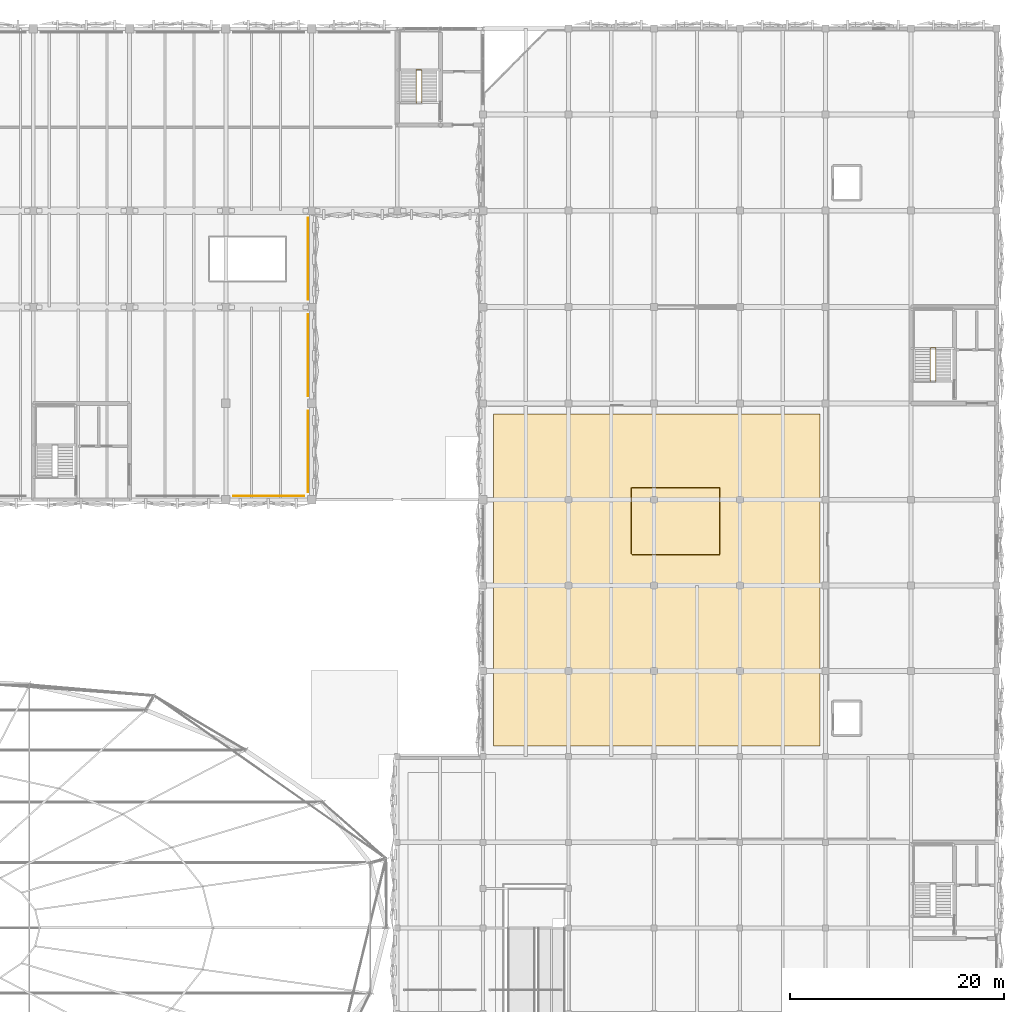
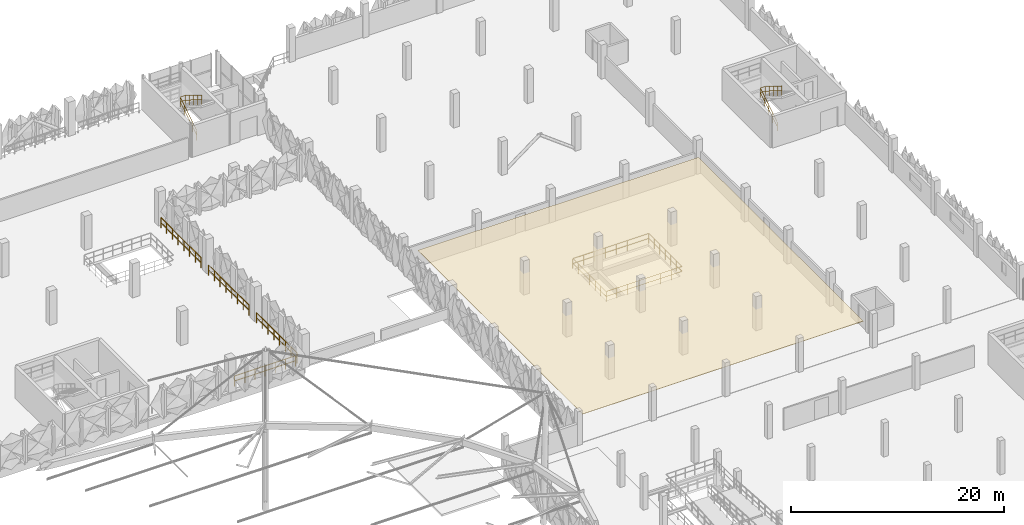
# One storey, part 93 of 96: 7 railings, 1 covering.
"""IFC4 building model written with IfcOpenShell, lengths in metres."""

from ifc_helpers import new_model, si_unit, derived_unit, direction, frame, origin, origin_2d, place, context, subcontext, project, spatial, polyline, circle, outline, extrude, material, layer, layer_set, type_object, element, save


model = new_model("IFC4")

# Units and contexts
model_context = context("Model", 3, precision=1e-05, world=origin(), true_north=direction((0.0, 1.0)))
body_context = subcontext(model_context, "Body", "Model", "MODEL_VIEW")
ifc_project = project(units=[si_unit("LENGTHUNIT", "METRE"), si_unit("AREAUNIT", "SQUARE_METRE"), si_unit("VOLUMEUNIT", "CUBIC_METRE"), si_unit("PLANEANGLEUNIT", "RADIAN"), si_unit("MASSUNIT", "GRAM", prefix="KILO"), si_unit("THERMODYNAMICTEMPERATUREUNIT", "KELVIN"), derived_unit("THERMALTRANSMITTANCEUNIT", [(si_unit("POWERUNIT", "WATT"), 1), (si_unit("AREAUNIT", "SQUARE_METRE"), -1), (si_unit("THERMODYNAMICTEMPERATUREUNIT", "KELVIN"), -1)])], contexts=[model_context])

# Site, building, storey
site_placement = place(None, origin())
site = spatial("IfcSite", under=ifc_project, at=site_placement, CompositionType="ELEMENT")
building_placement = place(site_placement, origin())
building = spatial("IfcBuilding", under=site, at=building_placement, Name="Haiyu Intermodal Mobility Hub", CompositionType="ELEMENT")
storey_placement = place(building_placement, frame((0.0, 0.0, 9.5)))
storey = spatial("IfcBuildingStorey", under=building, at=storey_placement, Name="L02", CompositionType="ELEMENT", Elevation=9.5)

# Covering
ifc_material_1 = material(Name="Champagne perforated aluminium 6063-T6", Category="aluminium")
ifc_layer = layer(ifc_material_1, 0.139892578125)
ifc_layer_set = layer_set([ifc_layer], Name="Champagne perforated aluminium 6063-T6")
covering_type = type_object("IfcCoveringType", Name="COV-CV01", PredefinedType="CLADDING", material=ifc_layer_set)
covering_placement = place(storey_placement, frame((0.0, 0.0, 2.39990234375)))
element("IfcCovering", 1, at=covering_placement, inside=storey, type_object=covering_type, Name="COV-CEIL-004", PredefinedType="CLADDING", context=body_context, shape_type="SweptSolid", body=[
    extrude(outline(polyline([(163.0, 81.0), (193.5, 81.0), (193.5, 112.0), (163.0, 112.0), (163.0, 81.0)])), origin(), (0.0, 0.0, 1.0), 0.045166015625),
])

# Railings
ifc_material_2 = material(Name="Steel Q355C", Category="steel")
railing_type_1 = type_object("IfcRailingType", Name="RAL-GR01", PredefinedType="GUARDRAIL", material=ifc_material_2)
railing_1_placement = place(storey_placement, frame((145.659912109375, 104.699951171875, 0.0)))
element("IfcRailing", 2, at=railing_1_placement, inside=storey, type_object=railing_type_1, Name="RAL-CAR-E-0096", PredefinedType="GUARDRAIL", context=body_context, shape_type="SweptSolid", body=[
    extrude(circle(Radius=0.02392578125, at=origin_2d()), frame((0.0, 0.030029296875, 1.17578125), z_axis=(0.0, 1.0, 0.0), x_axis=(-1.0, 0.0, 0.0)), (0.0, 0.0, 1.0), 7.5400390625),
    extrude(circle(Radius=0.02392578125, at=origin_2d()), frame((0.0, 0.037353515625, 0.60009765625), z_axis=(0.0, 1.0, 0.0), x_axis=(-1.0, 0.0, 0.0)), (0.0, 0.0, 1.0), 1.01123046875),
    extrude(circle(Radius=0.02392578125, at=origin_2d()), frame((0.0, 1.123046875, 0.60009765625), z_axis=(0.0, 1.0, 0.0), x_axis=(-1.0, 0.0, 0.0)), (0.0, 0.0, 1.0), 1.01123046875),
    extrude(circle(Radius=0.02392578125, at=origin_2d()), frame((0.0, 2.208740234375, 0.60009765625), z_axis=(0.0, 1.0, 0.0), x_axis=(-1.0, 0.0, 0.0)), (0.0, 0.0, 1.0), 1.01123046875),
    extrude(circle(Radius=0.02392578125, at=origin_2d()), frame((0.0, 3.29443359375, 0.60009765625), z_axis=(0.0, 1.0, 0.0), x_axis=(-1.0, 0.0, 0.0)), (0.0, 0.0, 1.0), 1.01123046875),
    extrude(circle(Radius=0.02392578125, at=origin_2d()), frame((0.0, 4.380126953125, 0.60009765625), z_axis=(0.0, 1.0, 0.0), x_axis=(-1.0, 0.0, 0.0)), (0.0, 0.0, 1.0), 1.01123046875),
    extrude(circle(Radius=0.02392578125, at=origin_2d()), frame((0.0, 5.4658203125, 0.60009765625), z_axis=(0.0, 1.0, 0.0), x_axis=(-1.0, 0.0, 0.0)), (0.0, 0.0, 1.0), 1.01123046875),
    extrude(circle(Radius=0.02392578125, at=origin_2d()), frame((0.0, 6.5517578125, 0.60009765625), z_axis=(0.0, 1.0, 0.0), x_axis=(-1.0, 0.0, 0.0)), (0.0, 0.0, 1.0), 1.01123046875),
    extrude(circle(Radius=0.02099609375, at=origin_2d()), origin(), (0.0, 0.0, 1.0), 1.143798828125),
    extrude(circle(Radius=0.02099609375, at=origin_2d()), frame((0.0, 1.085693359375, 0.0)), (0.0, 0.0, 1.0), 1.143798828125),
    extrude(circle(Radius=0.02099609375, at=origin_2d()), frame((0.0, 2.17138671875, 0.0)), (0.0, 0.0, 1.0), 1.143798828125),
    extrude(circle(Radius=0.02099609375, at=origin_2d()), frame((0.0, 3.257080078125, 0.0)), (0.0, 0.0, 1.0), 1.143798828125),
    extrude(circle(Radius=0.02099609375, at=origin_2d()), frame((0.0, 4.343017578125, 0.0)), (0.0, 0.0, 1.0), 1.143798828125),
    extrude(circle(Radius=0.02099609375, at=origin_2d()), frame((0.0, 5.4287109375, 0.0)), (0.0, 0.0, 1.0), 1.143798828125),
    extrude(circle(Radius=0.02099609375, at=origin_2d()), frame((0.0, 6.514404296875, 0.0)), (0.0, 0.0, 1.0), 1.143798828125),
    extrude(circle(Radius=0.02099609375, at=origin_2d()), frame((0.0, 7.60009765625, 0.0)), (0.0, 0.0, 1.0), 1.143798828125),
])
railing_2_placement = place(storey_placement, frame((145.659912109375, 113.699951171875, 0.0)))
element("IfcRailing", 3, at=railing_2_placement, inside=storey, type_object=railing_type_1, Name="RAL-CAR-E-0097", PredefinedType="GUARDRAIL", context=body_context, shape_type="SweptSolid", body=[
    extrude(circle(Radius=0.02392578125, at=origin_2d()), frame((0.0, 0.030029296875, 1.17578125), z_axis=(0.0, 1.0, 0.0), x_axis=(-1.0, 0.0, 0.0)), (0.0, 0.0, 1.0), 7.5400390625),
    extrude(circle(Radius=0.02392578125, at=origin_2d()), frame((0.0, 0.037353515625, 0.60009765625), z_axis=(0.0, 1.0, 0.0), x_axis=(-1.0, 0.0, 0.0)), (0.0, 0.0, 1.0), 1.01123046875),
    extrude(circle(Radius=0.02392578125, at=origin_2d()), frame((0.0, 1.123046875, 0.60009765625), z_axis=(0.0, 1.0, 0.0), x_axis=(-1.0, 0.0, 0.0)), (0.0, 0.0, 1.0), 1.01123046875),
    extrude(circle(Radius=0.02392578125, at=origin_2d()), frame((0.0, 2.208740234375, 0.60009765625), z_axis=(0.0, 1.0, 0.0), x_axis=(-1.0, 0.0, 0.0)), (0.0, 0.0, 1.0), 1.01123046875),
    extrude(circle(Radius=0.02392578125, at=origin_2d()), frame((0.0, 3.29443359375, 0.60009765625), z_axis=(0.0, 1.0, 0.0), x_axis=(-1.0, 0.0, 0.0)), (0.0, 0.0, 1.0), 1.01123046875),
    extrude(circle(Radius=0.02392578125, at=origin_2d()), frame((0.0, 4.380126953125, 0.60009765625), z_axis=(0.0, 1.0, 0.0), x_axis=(-1.0, 0.0, 0.0)), (0.0, 0.0, 1.0), 1.01123046875),
    extrude(circle(Radius=0.02392578125, at=origin_2d()), frame((0.0, 5.4658203125, 0.60009765625), z_axis=(0.0, 1.0, 0.0), x_axis=(-1.0, 0.0, 0.0)), (0.0, 0.0, 1.0), 1.01123046875),
    extrude(circle(Radius=0.02392578125, at=origin_2d()), frame((0.0, 6.5517578125, 0.60009765625), z_axis=(0.0, 1.0, 0.0), x_axis=(-1.0, 0.0, 0.0)), (0.0, 0.0, 1.0), 1.01123046875),
    extrude(circle(Radius=0.02099609375, at=origin_2d()), origin(), (0.0, 0.0, 1.0), 1.143798828125),
    extrude(circle(Radius=0.02099609375, at=origin_2d()), frame((0.0, 1.085693359375, 0.0)), (0.0, 0.0, 1.0), 1.143798828125),
    extrude(circle(Radius=0.02099609375, at=origin_2d()), frame((0.0, 2.17138671875, 0.0)), (0.0, 0.0, 1.0), 1.143798828125),
    extrude(circle(Radius=0.02099609375, at=origin_2d()), frame((0.0, 3.257080078125, 0.0)), (0.0, 0.0, 1.0), 1.143798828125),
    extrude(circle(Radius=0.02099609375, at=origin_2d()), frame((0.0, 4.343017578125, 0.0)), (0.0, 0.0, 1.0), 1.143798828125),
    extrude(circle(Radius=0.02099609375, at=origin_2d()), frame((0.0, 5.4287109375, 0.0)), (0.0, 0.0, 1.0), 1.143798828125),
    extrude(circle(Radius=0.02099609375, at=origin_2d()), frame((0.0, 6.514404296875, 0.0)), (0.0, 0.0, 1.0), 1.143798828125),
    extrude(circle(Radius=0.02099609375, at=origin_2d()), frame((0.0, 7.60009765625, 0.0)), (0.0, 0.0, 1.0), 1.143798828125),
])
railing_3_placement = place(storey_placement, frame((145.659912109375, 122.699951171875, 0.0)))
element("IfcRailing", 4, at=railing_3_placement, inside=storey, type_object=railing_type_1, Name="RAL-CAR-E-0098", PredefinedType="GUARDRAIL", context=body_context, shape_type="SweptSolid", body=[
    extrude(circle(Radius=0.02392578125, at=origin_2d()), frame((0.0, 0.030029296875, 1.17578125), z_axis=(0.0, 1.0, 0.0), x_axis=(-1.0, 0.0, 0.0)), (0.0, 0.0, 1.0), 7.5400390625),
    extrude(circle(Radius=0.02392578125, at=origin_2d()), frame((0.0, 0.037353515625, 0.60009765625), z_axis=(0.0, 1.0, 0.0), x_axis=(-1.0, 0.0, 0.0)), (0.0, 0.0, 1.0), 1.01123046875),
    extrude(circle(Radius=0.02392578125, at=origin_2d()), frame((0.0, 1.123046875, 0.60009765625), z_axis=(0.0, 1.0, 0.0), x_axis=(-1.0, 0.0, 0.0)), (0.0, 0.0, 1.0), 1.01123046875),
    extrude(circle(Radius=0.02392578125, at=origin_2d()), frame((0.0, 2.208740234375, 0.60009765625), z_axis=(0.0, 1.0, 0.0), x_axis=(-1.0, 0.0, 0.0)), (0.0, 0.0, 1.0), 1.01123046875),
    extrude(circle(Radius=0.02392578125, at=origin_2d()), frame((0.0, 3.29443359375, 0.60009765625), z_axis=(0.0, 1.0, 0.0), x_axis=(-1.0, 0.0, 0.0)), (0.0, 0.0, 1.0), 1.01123046875),
    extrude(circle(Radius=0.02392578125, at=origin_2d()), frame((0.0, 4.380126953125, 0.60009765625), z_axis=(0.0, 1.0, 0.0), x_axis=(-1.0, 0.0, 0.0)), (0.0, 0.0, 1.0), 1.01123046875),
    extrude(circle(Radius=0.02392578125, at=origin_2d()), frame((0.0, 5.4658203125, 0.60009765625), z_axis=(0.0, 1.0, 0.0), x_axis=(-1.0, 0.0, 0.0)), (0.0, 0.0, 1.0), 1.01123046875),
    extrude(circle(Radius=0.02392578125, at=origin_2d()), frame((0.0, 6.5517578125, 0.60009765625), z_axis=(0.0, 1.0, 0.0), x_axis=(-1.0, 0.0, 0.0)), (0.0, 0.0, 1.0), 1.01123046875),
    extrude(circle(Radius=0.02099609375, at=origin_2d()), origin(), (0.0, 0.0, 1.0), 1.143798828125),
    extrude(circle(Radius=0.02099609375, at=origin_2d()), frame((0.0, 1.085693359375, 0.0)), (0.0, 0.0, 1.0), 1.143798828125),
    extrude(circle(Radius=0.02099609375, at=origin_2d()), frame((0.0, 2.17138671875, 0.0)), (0.0, 0.0, 1.0), 1.143798828125),
    extrude(circle(Radius=0.02099609375, at=origin_2d()), frame((0.0, 3.257080078125, 0.0)), (0.0, 0.0, 1.0), 1.143798828125),
    extrude(circle(Radius=0.02099609375, at=origin_2d()), frame((0.0, 4.343017578125, 0.0)), (0.0, 0.0, 1.0), 1.143798828125),
    extrude(circle(Radius=0.02099609375, at=origin_2d()), frame((0.0, 5.4287109375, 0.0)), (0.0, 0.0, 1.0), 1.143798828125),
    extrude(circle(Radius=0.02099609375, at=origin_2d()), frame((0.0, 6.514404296875, 0.0)), (0.0, 0.0, 1.0), 1.143798828125),
    extrude(circle(Radius=0.02099609375, at=origin_2d()), frame((0.0, 7.60009765625, 0.0)), (0.0, 0.0, 1.0), 1.143798828125),
])
railing_4_placement = place(storey_placement, frame((138.699951171875, 104.340087890625, 0.0)))
element("IfcRailing", 5, at=railing_4_placement, inside=storey, type_object=railing_type_1, Name="RAL-CAR-S-0145", PredefinedType="GUARDRAIL", context=body_context, shape_type="SweptSolid", body=[
    extrude(circle(Radius=0.02392578125, at=origin_2d()), frame((0.030029296875, 0.0, 1.17578125), z_axis=(1.0, 0.0, 0.0), x_axis=(0.0, 1.0, 0.0)), (0.0, 0.0, 1.0), 6.5400390625),
    extrude(circle(Radius=0.02392578125, at=origin_2d()), frame((0.037353515625, 0.0, 0.60009765625), z_axis=(1.0, 0.0, 0.0), x_axis=(0.0, 1.0, 0.0)), (0.0, 0.0, 1.0), 1.025390625),
    extrude(circle(Radius=0.02392578125, at=origin_2d()), frame((1.13720703125, 0.0, 0.60009765625), z_axis=(1.0, 0.0, 0.0), x_axis=(0.0, 1.0, 0.0)), (0.0, 0.0, 1.0), 1.025390625),
    extrude(circle(Radius=0.02392578125, at=origin_2d()), frame((2.2373046875, 0.0, 0.60009765625), z_axis=(1.0, 0.0, 0.0), x_axis=(0.0, 1.0, 0.0)), (0.0, 0.0, 1.0), 1.025390625),
    extrude(circle(Radius=0.02392578125, at=origin_2d()), frame((3.33740234375, 0.0, 0.60009765625), z_axis=(1.0, 0.0, 0.0), x_axis=(0.0, 1.0, 0.0)), (0.0, 0.0, 1.0), 1.025390625),
    extrude(circle(Radius=0.02392578125, at=origin_2d()), frame((4.437255859375, 0.0, 0.60009765625), z_axis=(1.0, 0.0, 0.0), x_axis=(0.0, 1.0, 0.0)), (0.0, 0.0, 1.0), 1.025390625),
    extrude(circle(Radius=0.02392578125, at=origin_2d()), frame((5.537353515625, 0.0, 0.60009765625), z_axis=(1.0, 0.0, 0.0), x_axis=(0.0, 1.0, 0.0)), (0.0, 0.0, 1.0), 1.025390625),
    extrude(circle(Radius=0.02099609375, at=origin_2d()), origin(), (0.0, 0.0, 1.0), 1.143798828125),
    extrude(circle(Radius=0.02099609375, at=origin_2d()), frame((1.10009765625, 0.0, 0.0)), (0.0, 0.0, 1.0), 1.143798828125),
    extrude(circle(Radius=0.02099609375, at=origin_2d()), frame((2.199951171875, 0.0, 0.0)), (0.0, 0.0, 1.0), 1.143798828125),
    extrude(circle(Radius=0.02099609375, at=origin_2d()), frame((3.300048828125, 0.0, 0.0)), (0.0, 0.0, 1.0), 1.143798828125),
    extrude(circle(Radius=0.02099609375, at=origin_2d()), frame((4.400146484375, 0.0, 0.0)), (0.0, 0.0, 1.0), 1.143798828125),
    extrude(circle(Radius=0.02099609375, at=origin_2d()), frame((5.5, 0.0, 0.0)), (0.0, 0.0, 1.0), 1.143798828125),
    extrude(circle(Radius=0.02099609375, at=origin_2d()), frame((6.60009765625, 0.0, 0.0)), (0.0, 0.0, 1.0), 1.143798828125),
])
railing_5_placement = place(storey_placement, frame((175.8798828125, 98.8798828125, 0.0)))
element("IfcRailing", 6, at=railing_5_placement, inside=storey, type_object=railing_type_1, Name="RAL-V6VOID-L02", PredefinedType="GUARDRAIL", context=body_context, shape_type="SweptSolid", body=[
    extrude(circle(Radius=0.02392578125, at=origin_2d()), frame((0.030029296875, 0.0, 1.15576171875), z_axis=(1.0, 0.0, 0.0), x_axis=(0.0, 1.0, 0.0)), (0.0, 0.0, 1.0), 8.18017578125),
    extrude(circle(Radius=0.02392578125, at=origin_2d()), frame((0.037353515625, 0.0, 0.58984375), z_axis=(1.0, 0.0, 0.0), x_axis=(0.0, 1.0, 0.0)), (0.0, 0.0, 1.0), 1.1025390625),
    extrude(circle(Radius=0.02392578125, at=origin_2d()), frame((1.21435546875, 0.0, 0.58984375), z_axis=(1.0, 0.0, 0.0), x_axis=(0.0, 1.0, 0.0)), (0.0, 0.0, 1.0), 1.1025390625),
    extrude(circle(Radius=0.02392578125, at=origin_2d()), frame((2.3916015625, 0.0, 0.58984375), z_axis=(1.0, 0.0, 0.0), x_axis=(0.0, 1.0, 0.0)), (0.0, 0.0, 1.0), 1.1025390625),
    extrude(circle(Radius=0.02392578125, at=origin_2d()), frame((3.56884765625, 0.0, 0.58984375), z_axis=(1.0, 0.0, 0.0), x_axis=(0.0, 1.0, 0.0)), (0.0, 0.0, 1.0), 1.1025390625),
    extrude(circle(Radius=0.02392578125, at=origin_2d()), frame((4.74609375, 0.0, 0.58984375), z_axis=(1.0, 0.0, 0.0), x_axis=(0.0, 1.0, 0.0)), (0.0, 0.0, 1.0), 1.1025390625),
    extrude(circle(Radius=0.02392578125, at=origin_2d()), frame((5.923095703125, 0.0, 0.58984375), z_axis=(1.0, 0.0, 0.0), x_axis=(0.0, 1.0, 0.0)), (0.0, 0.0, 1.0), 1.1025390625),
    extrude(circle(Radius=0.02392578125, at=origin_2d()), frame((7.100341796875, 0.0, 0.58984375), z_axis=(1.0, 0.0, 0.0), x_axis=(0.0, 1.0, 0.0)), (0.0, 0.0, 1.0), 1.1025390625),
    extrude(circle(Radius=0.02392578125, at=origin_2d()), frame((8.240234375, 0.030029296875, 1.15576171875), z_axis=(0.0, 1.0, 0.0), x_axis=(-1.0, 0.0, 0.0)), (0.0, 0.0, 1.0), 6.18017578125),
    extrude(circle(Radius=0.02392578125, at=origin_2d()), frame((8.240234375, 0.037353515625, 0.58984375), z_axis=(0.0, 1.0, 0.0), x_axis=(-1.0, 0.0, 0.0)), (0.0, 0.0, 1.0), 0.96533203125),
    extrude(circle(Radius=0.02392578125, at=origin_2d()), frame((8.240234375, 1.077392578125, 0.58984375), z_axis=(0.0, 1.0, 0.0), x_axis=(-1.0, 0.0, 0.0)), (0.0, 0.0, 1.0), 0.96533203125),
    extrude(circle(Radius=0.02392578125, at=origin_2d()), frame((8.240234375, 2.117431640625, 0.58984375), z_axis=(0.0, 1.0, 0.0), x_axis=(-1.0, 0.0, 0.0)), (0.0, 0.0, 1.0), 0.96533203125),
    extrude(circle(Radius=0.02392578125, at=origin_2d()), frame((8.240234375, 3.157470703125, 0.58984375), z_axis=(0.0, 1.0, 0.0), x_axis=(-1.0, 0.0, 0.0)), (0.0, 0.0, 1.0), 0.96533203125),
    extrude(circle(Radius=0.02392578125, at=origin_2d()), frame((8.240234375, 4.197509765625, 0.58984375), z_axis=(0.0, 1.0, 0.0), x_axis=(-1.0, 0.0, 0.0)), (0.0, 0.0, 1.0), 0.96533203125),
    extrude(circle(Radius=0.02392578125, at=origin_2d()), frame((8.240234375, 5.237548828125, 0.58984375), z_axis=(0.0, 1.0, 0.0), x_axis=(-1.0, 0.0, 0.0)), (0.0, 0.0, 1.0), 0.96533203125),
    extrude(circle(Radius=0.02392578125, at=origin_2d()), frame((8.210205078125, 6.240234375, 1.15576171875), z_axis=(-1.0, 0.0, 0.0), x_axis=(0.0, -1.0, 0.0)), (0.0, 0.0, 1.0), 8.18017578125),
    extrude(circle(Radius=0.02392578125, at=origin_2d()), frame((8.202880859375, 6.240234375, 0.58984375), z_axis=(-1.0, 0.0, 0.0), x_axis=(0.0, -1.0, 0.0)), (0.0, 0.0, 1.0), 1.1025390625),
    extrude(circle(Radius=0.02392578125, at=origin_2d()), frame((7.02587890625, 6.240234375, 0.58984375), z_axis=(-1.0, 0.0, 0.0), x_axis=(0.0, -1.0, 0.0)), (0.0, 0.0, 1.0), 1.1025390625),
    extrude(circle(Radius=0.02392578125, at=origin_2d()), frame((5.8486328125, 6.240234375, 0.58984375), z_axis=(-1.0, 0.0, 0.0), x_axis=(0.0, -1.0, 0.0)), (0.0, 0.0, 1.0), 1.1025390625),
    extrude(circle(Radius=0.02392578125, at=origin_2d()), frame((4.67138671875, 6.240234375, 0.58984375), z_axis=(-1.0, 0.0, 0.0), x_axis=(0.0, -1.0, 0.0)), (0.0, 0.0, 1.0), 1.1025390625),
    extrude(circle(Radius=0.02392578125, at=origin_2d()), frame((3.494140625, 6.240234375, 0.58984375), z_axis=(-1.0, 0.0, 0.0), x_axis=(0.0, -1.0, 0.0)), (0.0, 0.0, 1.0), 1.1025390625),
    extrude(circle(Radius=0.02392578125, at=origin_2d()), frame((2.317138671875, 6.240234375, 0.58984375), z_axis=(-1.0, 0.0, 0.0), x_axis=(0.0, -1.0, 0.0)), (0.0, 0.0, 1.0), 1.1025390625),
    extrude(circle(Radius=0.02392578125, at=origin_2d()), frame((1.139892578125, 6.240234375, 0.58984375), z_axis=(-1.0, 0.0, 0.0), x_axis=(0.0, -1.0, 0.0)), (0.0, 0.0, 1.0), 1.1025390625),
    extrude(circle(Radius=0.02392578125, at=origin_2d()), frame((0.0, 6.210205078125, 1.15576171875), z_axis=(0.0, -1.0, 0.0), x_axis=(1.0, 0.0, 0.0)), (0.0, 0.0, 1.0), 6.18017578125),
    extrude(circle(Radius=0.02392578125, at=origin_2d()), frame((0.0, 6.202880859375, 0.58984375), z_axis=(0.0, -1.0, 0.0), x_axis=(1.0, 0.0, 0.0)), (0.0, 0.0, 1.0), 0.96533203125),
    extrude(circle(Radius=0.02392578125, at=origin_2d()), frame((0.0, 5.162841796875, 0.58984375), z_axis=(0.0, -1.0, 0.0), x_axis=(1.0, 0.0, 0.0)), (0.0, 0.0, 1.0), 0.96533203125),
    extrude(circle(Radius=0.02392578125, at=origin_2d()), frame((0.0, 4.122802734375, 0.58984375), z_axis=(0.0, -1.0, 0.0), x_axis=(1.0, 0.0, 0.0)), (0.0, 0.0, 1.0), 0.96533203125),
    extrude(circle(Radius=0.02392578125, at=origin_2d()), frame((0.0, 3.082763671875, 0.58984375), z_axis=(0.0, -1.0, 0.0), x_axis=(1.0, 0.0, 0.0)), (0.0, 0.0, 1.0), 0.96533203125),
    extrude(circle(Radius=0.02392578125, at=origin_2d()), frame((0.0, 2.042724609375, 0.58984375), z_axis=(0.0, -1.0, 0.0), x_axis=(1.0, 0.0, 0.0)), (0.0, 0.0, 1.0), 0.96533203125),
    extrude(circle(Radius=0.02392578125, at=origin_2d()), frame((0.0, 1.002685546875, 0.58984375), z_axis=(0.0, -1.0, 0.0), x_axis=(1.0, 0.0, 0.0)), (0.0, 0.0, 1.0), 0.96533203125),
    extrude(circle(Radius=0.02099609375, at=origin_2d()), origin(), (0.0, 0.0, 1.0), 1.123779296875),
    extrude(circle(Radius=0.02099609375, at=origin_2d()), frame((1.17724609375, 0.0, 0.0)), (0.0, 0.0, 1.0), 1.123779296875),
    extrude(circle(Radius=0.02099609375, at=origin_2d()), frame((2.354248046875, 0.0, 0.0)), (0.0, 0.0, 1.0), 1.123779296875),
    extrude(circle(Radius=0.02099609375, at=origin_2d()), frame((3.531494140625, 0.0, 0.0)), (0.0, 0.0, 1.0), 1.123779296875),
    extrude(circle(Radius=0.02099609375, at=origin_2d()), frame((4.708740234375, 0.0, 0.0)), (0.0, 0.0, 1.0), 1.123779296875),
    extrude(circle(Radius=0.02099609375, at=origin_2d()), frame((5.885986328125, 0.0, 0.0)), (0.0, 0.0, 1.0), 1.123779296875),
    extrude(circle(Radius=0.02099609375, at=origin_2d()), frame((7.06298828125, 0.0, 0.0)), (0.0, 0.0, 1.0), 1.123779296875),
    extrude(circle(Radius=0.02099609375, at=origin_2d()), frame((8.240234375, 0.0, 0.0)), (0.0, 0.0, 1.0), 1.123779296875),
    extrude(circle(Radius=0.02099609375, at=origin_2d()), frame((8.240234375, 1.0400390625, 0.0)), (0.0, 0.0, 1.0), 1.123779296875),
    extrude(circle(Radius=0.02099609375, at=origin_2d()), frame((8.240234375, 2.080078125, 0.0)), (0.0, 0.0, 1.0), 1.123779296875),
    extrude(circle(Radius=0.02099609375, at=origin_2d()), frame((8.240234375, 3.1201171875, 0.0)), (0.0, 0.0, 1.0), 1.123779296875),
    extrude(circle(Radius=0.02099609375, at=origin_2d()), frame((8.240234375, 4.16015625, 0.0)), (0.0, 0.0, 1.0), 1.123779296875),
    extrude(circle(Radius=0.02099609375, at=origin_2d()), frame((8.240234375, 5.2001953125, 0.0)), (0.0, 0.0, 1.0), 1.123779296875),
    extrude(circle(Radius=0.02099609375, at=origin_2d()), frame((8.240234375, 6.240234375, 0.0)), (0.0, 0.0, 1.0), 1.123779296875),
    extrude(circle(Radius=0.02099609375, at=origin_2d()), frame((7.06298828125, 6.240234375, 0.0)), (0.0, 0.0, 1.0), 1.123779296875),
    extrude(circle(Radius=0.02099609375, at=origin_2d()), frame((5.885986328125, 6.240234375, 0.0)), (0.0, 0.0, 1.0), 1.123779296875),
    extrude(circle(Radius=0.02099609375, at=origin_2d()), frame((4.708740234375, 6.240234375, 0.0)), (0.0, 0.0, 1.0), 1.123779296875),
    extrude(circle(Radius=0.02099609375, at=origin_2d()), frame((3.531494140625, 6.240234375, 0.0)), (0.0, 0.0, 1.0), 1.123779296875),
    extrude(circle(Radius=0.02099609375, at=origin_2d()), frame((2.354248046875, 6.240234375, 0.0)), (0.0, 0.0, 1.0), 1.123779296875),
    extrude(circle(Radius=0.02099609375, at=origin_2d()), frame((1.17724609375, 6.240234375, 0.0)), (0.0, 0.0, 1.0), 1.123779296875),
    extrude(circle(Radius=0.02099609375, at=origin_2d()), frame((0.0, 6.240234375, 0.0)), (0.0, 0.0, 1.0), 1.123779296875),
    extrude(circle(Radius=0.02099609375, at=origin_2d()), frame((0.0, 5.2001953125, 0.0)), (0.0, 0.0, 1.0), 1.123779296875),
    extrude(circle(Radius=0.02099609375, at=origin_2d()), frame((0.0, 4.16015625, 0.0)), (0.0, 0.0, 1.0), 1.123779296875),
    extrude(circle(Radius=0.02099609375, at=origin_2d()), frame((0.0, 3.1201171875, 0.0)), (0.0, 0.0, 1.0), 1.123779296875),
    extrude(circle(Radius=0.02099609375, at=origin_2d()), frame((0.0, 2.080078125, 0.0)), (0.0, 0.0, 1.0), 1.123779296875),
    extrude(circle(Radius=0.02099609375, at=origin_2d()), frame((0.0, 1.0400390625, 0.0)), (0.0, 0.0, 1.0), 1.123779296875),
])
railing_type_2 = type_object("IfcRailingType", Name="RAL-GR03", PredefinedType="GUARDRAIL", material=ifc_material_2)
railing_6_placement = place(storey_placement, frame((155.780029296875, 141.050048828125, 0.0)))
element("IfcRailing", 7, at=railing_6_placement, inside=storey, type_object=railing_type_2, Name="Stair Well Guard STR-C4-L02", PredefinedType="GUARDRAIL", context=body_context, shape_type="SweptSolid", body=[
    extrude(circle(Radius=0.02392578125, at=origin_2d()), frame((0.0, 0.025390625, 1.11181640625), z_axis=(0.0, 0.848756196164, 0.528784378999), x_axis=(-1.0, 0.0, 0.0)), (0.0, 0.0, 1.0), 3.627685546875),
    extrude(circle(Radius=0.02392578125, at=origin_2d()), frame((0.0, 0.03173828125, 0.579833984375), z_axis=(0.0, 0.848756196164, 0.528784378999), x_axis=(-1.0, 0.0, 0.0)), (0.0, 0.0, 1.0), 0.847412109375),
    extrude(circle(Radius=0.02392578125, at=origin_2d()), frame((0.0, 0.814208984375, 1.0673828125), z_axis=(0.0, 0.848756196164, 0.528784378999), x_axis=(-1.0, 0.0, 0.0)), (0.0, 0.0, 1.0), 0.847412109375),
    extrude(circle(Radius=0.02392578125, at=origin_2d()), frame((0.0, 1.5966796875, 1.5546875), z_axis=(0.0, 0.848756196164, 0.528784378999), x_axis=(-1.0, 0.0, 0.0)), (0.0, 0.0, 1.0), 0.847412109375),
    extrude(circle(Radius=0.02392578125, at=origin_2d()), frame((0.0, 2.379150390625, 2.042236328125), z_axis=(0.0, 0.848756196164, 0.528784378999), x_axis=(-1.0, 0.0, 0.0)), (0.0, 0.0, 1.0), 0.847412109375),
    extrude(circle(Radius=0.02392578125, at=origin_2d()), frame((0.030029296875, 3.1298828125, 3.0458984375), z_axis=(1.0, 0.0, 0.0), x_axis=(0.0, 1.0, 0.0)), (0.0, 0.0, 1.0), 0.469970703125),
    extrude(circle(Radius=0.02392578125, at=origin_2d()), frame((0.037353515625, 3.1298828125, 2.510009765625), z_axis=(1.0, 0.0, 0.0), x_axis=(0.0, 1.0, 0.0)), (0.0, 0.0, 1.0), 0.455322265625),
    extrude(circle(Radius=0.02392578125, at=origin_2d()), frame((0.530029296875, 3.1044921875, 3.061767578125), z_axis=(0.0, -0.848756196164, 0.528784378999), x_axis=(1.0, 0.0, 0.0)), (0.0, 0.0, 1.0), 3.627685546875),
    extrude(circle(Radius=0.02392578125, at=origin_2d()), frame((0.530029296875, 3.09814453125, 2.52978515625), z_axis=(0.0, -0.848756196164, 0.528784378999), x_axis=(1.0, 0.0, 0.0)), (0.0, 0.0, 1.0), 0.847412109375),
    extrude(circle(Radius=0.02392578125, at=origin_2d()), frame((0.530029296875, 2.315673828125, 3.017333984375), z_axis=(0.0, -0.848756196164, 0.528784378999), x_axis=(1.0, 0.0, 0.0)), (0.0, 0.0, 1.0), 0.847412109375),
    extrude(circle(Radius=0.02392578125, at=origin_2d()), frame((0.530029296875, 1.533203125, 3.504638671875), z_axis=(0.0, -0.848756196164, 0.528784378999), x_axis=(1.0, 0.0, 0.0)), (0.0, 0.0, 1.0), 0.847412109375),
    extrude(circle(Radius=0.02392578125, at=origin_2d()), frame((0.530029296875, 0.750732421875, 3.9921875), z_axis=(0.0, -0.848756196164, 0.528784378999), x_axis=(1.0, 0.0, 0.0)), (0.0, 0.0, 1.0), 0.847412109375),
    extrude(circle(Radius=0.02099609375, at=origin_2d()), origin(), (0.0, 0.0, 1.0), 1.06396484375),
    extrude(circle(Radius=0.02099609375, at=origin_2d()), frame((0.0, 0.782470703125, 0.487548828125)), (0.0, 0.0, 1.0), 1.06396484375),
    extrude(circle(Radius=0.02099609375, at=origin_2d()), frame((0.0, 1.56494140625, 0.97509765625)), (0.0, 0.0, 1.0), 1.06396484375),
    extrude(circle(Radius=0.02099609375, at=origin_2d()), frame((0.0, 2.347412109375, 1.46240234375)), (0.0, 0.0, 1.0), 1.06396484375),
    extrude(circle(Radius=0.02099609375, at=origin_2d()), frame((0.0, 3.1298828125, 1.949951171875)), (0.0, 0.0, 1.0), 1.06396484375),
    extrude(circle(Radius=0.02099609375, at=origin_2d()), frame((0.530029296875, 3.1298828125, 1.949951171875)), (0.0, 0.0, 1.0), 1.06396484375),
    extrude(circle(Radius=0.02099609375, at=origin_2d()), frame((0.530029296875, 2.347412109375, 2.4375)), (0.0, 0.0, 1.0), 1.06396484375),
    extrude(circle(Radius=0.02099609375, at=origin_2d()), frame((0.530029296875, 1.56494140625, 2.9248046875)), (0.0, 0.0, 1.0), 1.06396484375),
    extrude(circle(Radius=0.02099609375, at=origin_2d()), frame((0.530029296875, 0.782470703125, 3.412353515625)), (0.0, 0.0, 1.0), 1.06396484375),
    extrude(circle(Radius=0.02099609375, at=origin_2d()), frame((0.530029296875, 0.0, 3.89990234375)), (0.0, 0.0, 1.0), 1.06396484375),
])
railing_7_placement = place(storey_placement, frame((203.780029296875, 115.050048828125, 0.0)))
element("IfcRailing", 8, at=railing_7_placement, inside=storey, type_object=railing_type_2, Name="Stair Well Guard STR-C10-L02", PredefinedType="GUARDRAIL", context=body_context, shape_type="SweptSolid", body=[
    extrude(circle(Radius=0.02392578125, at=origin_2d()), frame((0.0, 0.025390625, 1.11181640625), z_axis=(0.0, 0.848756196164, 0.528784378999), x_axis=(-1.0, 0.0, 0.0)), (0.0, 0.0, 1.0), 3.627685546875),
    extrude(circle(Radius=0.02392578125, at=origin_2d()), frame((0.0, 0.03173828125, 0.579833984375), z_axis=(0.0, 0.848756196164, 0.528784378999), x_axis=(-1.0, 0.0, 0.0)), (0.0, 0.0, 1.0), 0.847412109375),
    extrude(circle(Radius=0.02392578125, at=origin_2d()), frame((0.0, 0.814208984375, 1.0673828125), z_axis=(0.0, 0.848756196164, 0.528784378999), x_axis=(-1.0, 0.0, 0.0)), (0.0, 0.0, 1.0), 0.847412109375),
    extrude(circle(Radius=0.02392578125, at=origin_2d()), frame((0.0, 1.5966796875, 1.5546875), z_axis=(0.0, 0.848756196164, 0.528784378999), x_axis=(-1.0, 0.0, 0.0)), (0.0, 0.0, 1.0), 0.847412109375),
    extrude(circle(Radius=0.02392578125, at=origin_2d()), frame((0.0, 2.379150390625, 2.042236328125), z_axis=(0.0, 0.848756196164, 0.528784378999), x_axis=(-1.0, 0.0, 0.0)), (0.0, 0.0, 1.0), 0.847412109375),
    extrude(circle(Radius=0.02392578125, at=origin_2d()), frame((0.030029296875, 3.1298828125, 3.0458984375), z_axis=(1.0, 0.0, 0.0), x_axis=(0.0, 1.0, 0.0)), (0.0, 0.0, 1.0), 0.469970703125),
    extrude(circle(Radius=0.02392578125, at=origin_2d()), frame((0.037353515625, 3.1298828125, 2.510009765625), z_axis=(1.0, 0.0, 0.0), x_axis=(0.0, 1.0, 0.0)), (0.0, 0.0, 1.0), 0.455322265625),
    extrude(circle(Radius=0.02392578125, at=origin_2d()), frame((0.530029296875, 3.1044921875, 3.061767578125), z_axis=(0.0, -0.848756196164, 0.528784378999), x_axis=(1.0, 0.0, 0.0)), (0.0, 0.0, 1.0), 3.627685546875),
    extrude(circle(Radius=0.02392578125, at=origin_2d()), frame((0.530029296875, 3.09814453125, 2.52978515625), z_axis=(0.0, -0.848756196164, 0.528784378999), x_axis=(1.0, 0.0, 0.0)), (0.0, 0.0, 1.0), 0.847412109375),
    extrude(circle(Radius=0.02392578125, at=origin_2d()), frame((0.530029296875, 2.315673828125, 3.017333984375), z_axis=(0.0, -0.848756196164, 0.528784378999), x_axis=(1.0, 0.0, 0.0)), (0.0, 0.0, 1.0), 0.847412109375),
    extrude(circle(Radius=0.02392578125, at=origin_2d()), frame((0.530029296875, 1.533203125, 3.504638671875), z_axis=(0.0, -0.848756196164, 0.528784378999), x_axis=(1.0, 0.0, 0.0)), (0.0, 0.0, 1.0), 0.847412109375),
    extrude(circle(Radius=0.02392578125, at=origin_2d()), frame((0.530029296875, 0.750732421875, 3.9921875), z_axis=(0.0, -0.848756196164, 0.528784378999), x_axis=(1.0, 0.0, 0.0)), (0.0, 0.0, 1.0), 0.847412109375),
    extrude(circle(Radius=0.02099609375, at=origin_2d()), origin(), (0.0, 0.0, 1.0), 1.06396484375),
    extrude(circle(Radius=0.02099609375, at=origin_2d()), frame((0.0, 0.782470703125, 0.487548828125)), (0.0, 0.0, 1.0), 1.06396484375),
    extrude(circle(Radius=0.02099609375, at=origin_2d()), frame((0.0, 1.56494140625, 0.97509765625)), (0.0, 0.0, 1.0), 1.06396484375),
    extrude(circle(Radius=0.02099609375, at=origin_2d()), frame((0.0, 2.347412109375, 1.46240234375)), (0.0, 0.0, 1.0), 1.06396484375),
    extrude(circle(Radius=0.02099609375, at=origin_2d()), frame((0.0, 3.1298828125, 1.949951171875)), (0.0, 0.0, 1.0), 1.06396484375),
    extrude(circle(Radius=0.02099609375, at=origin_2d()), frame((0.530029296875, 3.1298828125, 1.949951171875)), (0.0, 0.0, 1.0), 1.06396484375),
    extrude(circle(Radius=0.02099609375, at=origin_2d()), frame((0.530029296875, 2.347412109375, 2.4375)), (0.0, 0.0, 1.0), 1.06396484375),
    extrude(circle(Radius=0.02099609375, at=origin_2d()), frame((0.530029296875, 1.56494140625, 2.9248046875)), (0.0, 0.0, 1.0), 1.06396484375),
    extrude(circle(Radius=0.02099609375, at=origin_2d()), frame((0.530029296875, 0.782470703125, 3.412353515625)), (0.0, 0.0, 1.0), 1.06396484375),
    extrude(circle(Radius=0.02099609375, at=origin_2d()), frame((0.530029296875, 0.0, 3.89990234375)), (0.0, 0.0, 1.0), 1.06396484375),
])

save(model, "model.ifc")
